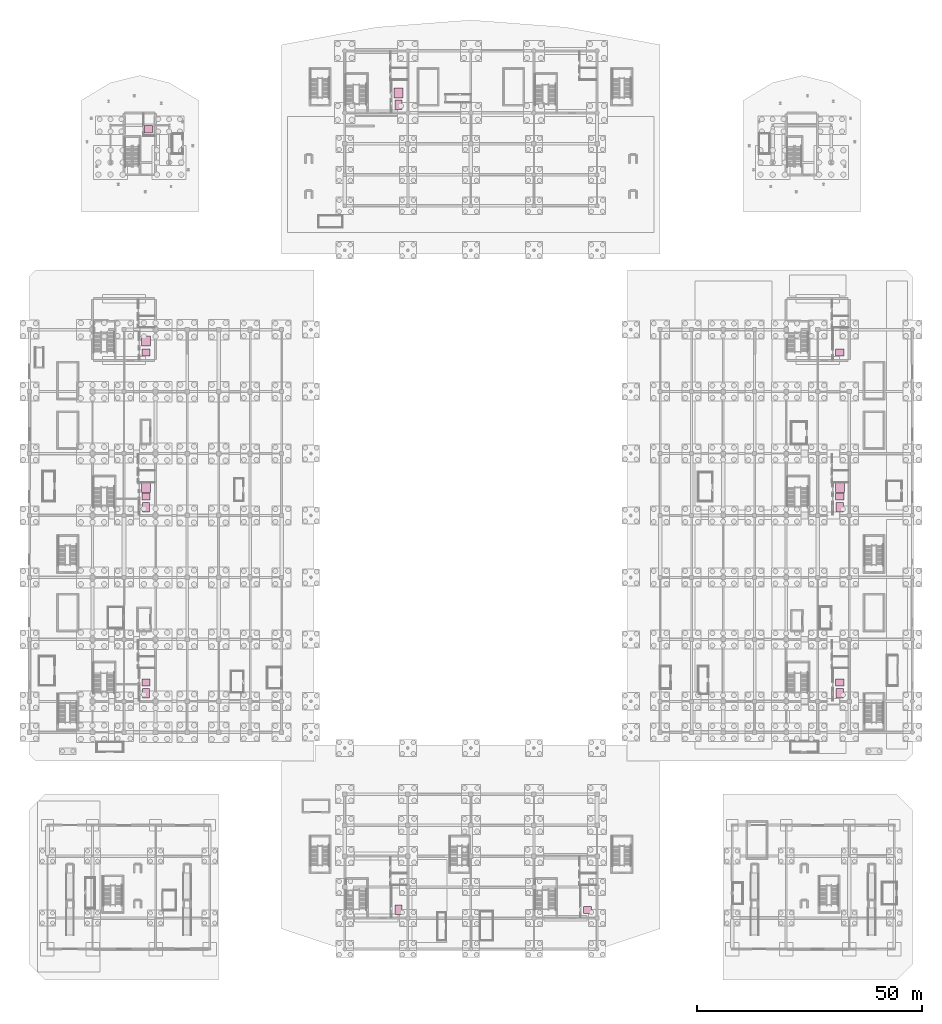
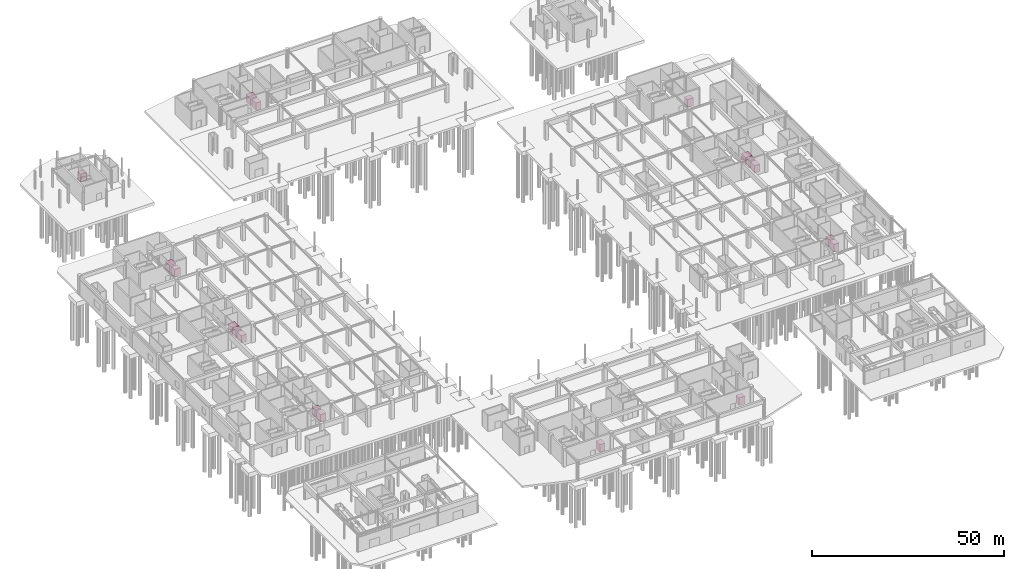
# One storey, part 62 of 62: 18 transport elements.
"""IFC4 building model written with IfcOpenShell, lengths in metres."""

from ifc_helpers import new_model, si_unit, direction, frame, origin, origin_2d, place, context, subcontext, project, spatial, rectangle, extrude, material, type_object, element, save


model = new_model("IFC4")

# Units and contexts
model_context = context("Model", 3, precision=1e-05, world=origin(), true_north=direction((0.0, 1.0)))
body_context = subcontext(model_context, "Body", "Model", "MODEL_VIEW")
ifc_project = project(units=[si_unit("LENGTHUNIT", "METRE"), si_unit("AREAUNIT", "SQUARE_METRE"), si_unit("VOLUMEUNIT", "CUBIC_METRE"), si_unit("PLANEANGLEUNIT", "RADIAN"), si_unit("MASSUNIT", "GRAM", prefix="KILO")], contexts=[model_context])

# Site, building, storey
site_placement = place(None, origin())
site = spatial("IfcSite", under=ifc_project, at=site_placement, CompositionType="ELEMENT")
building_placement = place(site_placement, origin())
building = spatial("IfcBuilding", under=site, at=building_placement, Name="Linyun Crest Stadium", CompositionType="ELEMENT")
storey_placement = place(building_placement, frame((0.0, 0.0, -6.0)))
storey = spatial("IfcBuildingStorey", under=building, at=storey_placement, Name="B1", CompositionType="ELEMENT", Elevation=-6.0)

# Transport elements
ifc_material_1 = material(Name="Stainless steel elevator car", Category="steel")
transport_element_type_1 = type_object("IfcTransportElementType", Name="ELV-FF", PredefinedType="ELEVATOR", material=ifc_material_1)
for number, where, z_axis, x_axis, name in (
    (1, (-72.10009765625, -37.324951171875, 0.0), (0.0, 0.0, 1.0), (1.0, 0.0, 0.0), "Elevator EL-FF01"),
    (2, (-72.10009765625, 3.925048828125, 0.0), (0.0, 0.0, 1.0), (1.0, 0.0, 0.0), "Elevator EL-FF02"),
    (3, (81.89990234375, -37.324951171875, 0.0), (0.0, 0.0, 1.0), (1.0, 0.0, 0.0), "Elevator EL-P09"),
    (4, (81.89990234375, 3.925048828125, 0.0), (0.0, 0.0, 1.0), (1.0, 0.0, 0.0), "Elevator EL-P10"),
    (5, (-16.10009765625, 93.300048828125, 0.0), (0.0, 0.0, 1.0), (1.0, 0.0, 0.0), "Elevator EL-P11"),
    (6, (-16.10009765625, -85.449951171875, 0.0), (0.0, 0.0, 1.0), (1.0, 0.0, 0.0), "Elevator EL-P12"),
):
    element("IfcTransportElement", number, at=place(storey_placement, frame(where, z_axis=z_axis, x_axis=x_axis)), inside=storey, type_object=transport_element_type_1, Name=name, PredefinedType="ELEVATOR", context=body_context, shape_type="SweptSolid", body=[
        extrude(rectangle(XDim=1.60009765625, YDim=2.10009765625, at=origin_2d()), origin(), (0.0, 0.0, 1.0), 2.39990234375),
    ])
ifc_material_2 = material(Name="Stainless steel elevator car", Category="steel")
transport_element_type_2 = type_object("IfcTransportElementType", Name="ELV-PAX", PredefinedType="ELEVATOR", material=ifc_material_2)
for number, where, z_axis, x_axis, name in (
    (7, (-72.10009765625, -34.925048828125, 0.0), (0.0, 0.0, 1.0), (1.0, 0.0, 0.0), "Elevator EL-P01"),
    (8, (-72.10009765625, 6.324951171875, 0.0), (0.0, 0.0, 1.0), (1.0, 0.0, 0.0), "Elevator EL-P02"),
    (9, (-72.10009765625, 38.300048828125, 0.0), (0.0, 0.0, 1.0), (1.0, 0.0, 0.0), "Elevator EL-P03"),
    (10, (81.89990234375, -34.925048828125, 0.0), (0.0, 0.0, 1.0), (1.0, 0.0, 0.0), "Elevator EL-P04"),
    (11, (81.89990234375, 6.324951171875, 0.0), (0.0, 0.0, 1.0), (1.0, 0.0, 0.0), "Elevator EL-P05"),
    (12, (81.89990234375, 38.300048828125, 0.0), (0.0, 0.0, 1.0), (1.0, 0.0, 0.0), "Elevator EL-P06"),
    (13, (-71.550048828125, 87.85009765625, 0.0), (0.0, 0.0, 1.0), (1.0, 0.0, 0.0), "Elevator EL-P07"),
    (14, (25.89990234375, -85.449951171875, 0.0), (0.0, 0.0, 1.0), (1.0, 0.0, 0.0), "Elevator EL-P08"),
):
    element("IfcTransportElement", number, at=place(storey_placement, frame(where, z_axis=z_axis, x_axis=x_axis)), inside=storey, type_object=transport_element_type_2, Name=name, PredefinedType="ELEVATOR", context=body_context, shape_type="SweptSolid", body=[
        extrude(rectangle(XDim=1.800048828125, YDim=1.60009765625, at=origin_2d()), origin(), (0.0, 0.0, 1.0), 2.39990234375),
    ])
ifc_material_3 = material(Name="Stainless steel elevator car", Category="steel")
transport_element_type_3 = type_object("IfcTransportElementType", Name="ELV-SRV", PredefinedType="ELEVATOR", material=ifc_material_3)
for number, where, z_axis, x_axis, name in (
    (15, (-72.10009765625, 8.324951171875, 0.0), (0.0, 0.0, 1.0), (1.0, 0.0, 0.0), "Elevator EL-S01"),
    (16, (-72.10009765625, 40.89990234375, 0.0), (0.0, 0.0, 1.0), (1.0, 0.0, 0.0), "Elevator EL-S02"),
    (17, (81.89990234375, 8.324951171875, 0.0), (0.0, 0.0, 1.0), (1.0, 0.0, 0.0), "Elevator EL-S03"),
    (18, (-16.10009765625, 95.89990234375, 0.0), (0.0, 0.0, 1.0), (1.0, 0.0, 0.0), "Elevator EL-S04"),
):
    element("IfcTransportElement", number, at=place(storey_placement, frame(where, z_axis=z_axis, x_axis=x_axis)), inside=storey, type_object=transport_element_type_3, Name=name, PredefinedType="ELEVATOR", context=body_context, shape_type="SweptSolid", body=[
        extrude(rectangle(XDim=2.0, YDim=2.199951171875, at=origin_2d()), origin(), (0.0, 0.0, 1.0), 2.39990234375),
    ])

save(model, "model.ifc")
